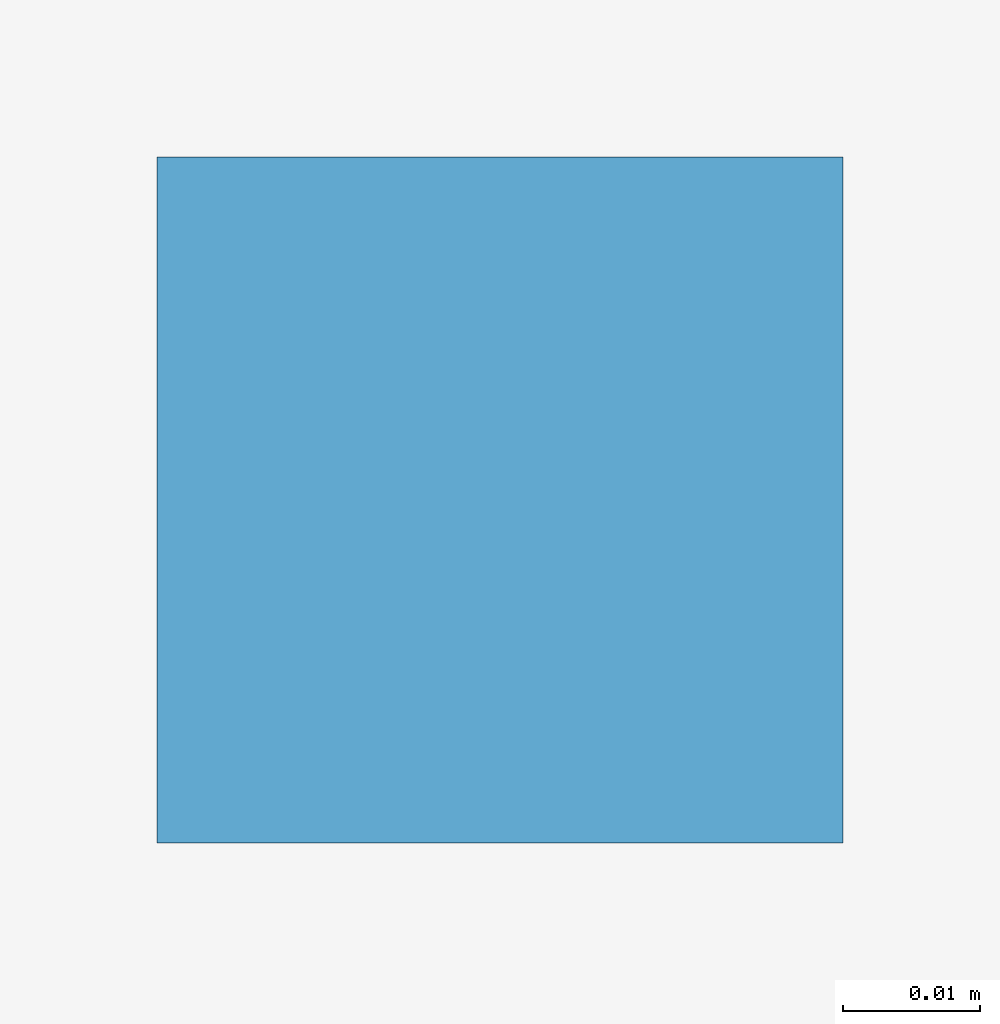
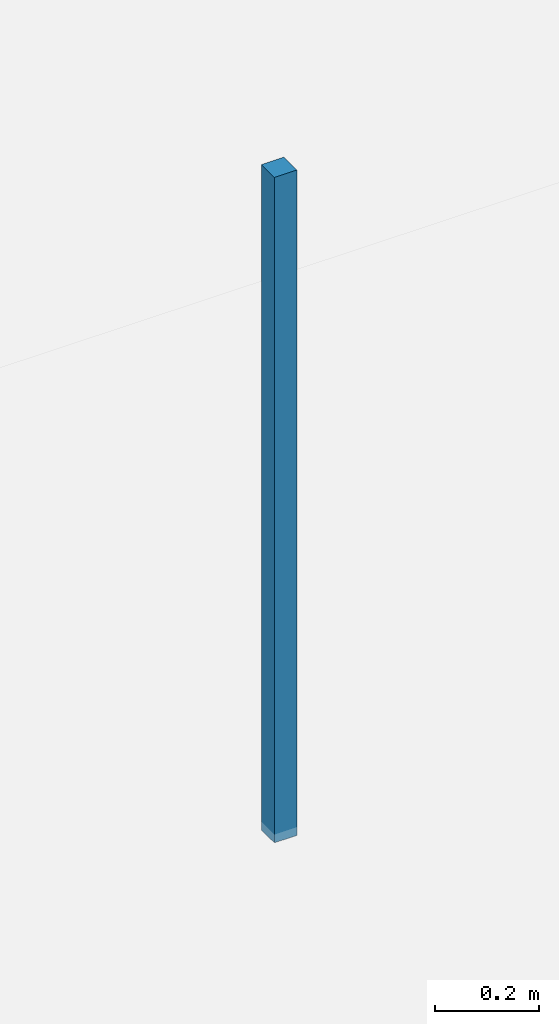
# One storey, part 44 of 54: 1 discrete accessory.
"""IFC4 building model written with IfcOpenShell, lengths in metres."""

import ifcopenshell
import ifcopenshell.guid

model = None  # the IFC model being written
_history = None  # IfcOwnerHistory: only IFC2X3 demands one
_inside = {}  # id of a spatial element -> (the spatial element, [elements in it])
_under = {}  # id of a project, library or spatial element -> (it, [spatial elements below it])
_declared = {}  # id of a project -> (the project, [libraries it declares])
_typed = {}  # id of a type object -> (the type object, [elements of that type])
_made_of = {}  # id of a material, layer set ... -> (it, [elements and type objects made of it])


def new_model(schema):
    """Start an empty IFC model of exactly this schema.

    Asked for "IFC4X3", IfcOpenShell would pick the latest addendum, in which some entities
    have other attributes; the version numbers below select the first issue.
    IFC2X3 requires an IfcOwnerHistory on every rooted entity: one is made here for all.
    """
    global model, _history
    if schema == "IFC4X3":
        model = ifcopenshell.file(schema_version=(4, 3, 0, 0))
    else:
        model = ifcopenshell.file(schema=schema)
    _inside.clear()
    _under.clear()
    _declared.clear()
    _typed.clear()
    _made_of.clear()
    _history = None
    if model.schema == "IFC2X3":
        org = make("IfcOrganization", Name="unknown")
        user = make(
            "IfcPersonAndOrganization",
            ThePerson=make("IfcPerson", FamilyName="unknown"),
            TheOrganization=org,
        )
        app = make(
            "IfcApplication",
            ApplicationDeveloper=org,
            Version="unknown",
            ApplicationFullName="unknown",
            ApplicationIdentifier="unknown",
        )
        _history = make(
            "IfcOwnerHistory",
            OwningUser=user,
            OwningApplication=app,
            ChangeAction="ADDED",
            CreationDate=0,
        )
    return model


def make(cls, **values):
    """One entity of the class cls with the attributes given. An attribute that is None is left unset."""
    return model.create_entity(
        cls, **{name: value for name, value in values.items() if value is not None}
    )


def rooted(cls, **values):
    """An entity with a GlobalId (a new one), such as an element, a storey or a relation."""
    return make(cls, GlobalId=ifcopenshell.guid.new(), OwnerHistory=_history, **values)


def si_unit(unit_type, name, prefix=None):
    """IfcSIUnit, for example si_unit("LENGTHUNIT", "METRE", prefix="MILLI")."""
    return make("IfcSIUnit", UnitType=unit_type, Prefix=prefix, Name=name)


def assignment(units):
    """IfcUnitAssignment: the units of a project."""
    return None if units is None else make("IfcUnitAssignment", Units=units)


def point(xyz):
    """IfcCartesianPoint."""
    return None if xyz is None else make("IfcCartesianPoint", Coordinates=xyz)


def direction(xyz):
    """IfcDirection."""
    return None if xyz is None else make("IfcDirection", DirectionRatios=xyz)


def frame(location, z_axis=None, x_axis=None):
    """IfcAxis2Placement3D, a coordinate frame: its origin and axes. An axis left out is left unset."""
    return make(
        "IfcAxis2Placement3D",
        Location=point(location),
        Axis=direction(z_axis),
        RefDirection=direction(x_axis),
    )


def frame_2d(location, x_axis=None):
    """IfcAxis2Placement2D, a coordinate frame in the plane: its origin and x axis."""
    return make(
        "IfcAxis2Placement2D", Location=point(location), RefDirection=direction(x_axis)
    )


def origin():
    """The frame at (0, 0, 0) with its axes left unset."""
    return frame((0.0, 0.0, 0.0))


def origin_2d():
    """The frame at (0, 0) in the plane with its x axis left unset."""
    return frame_2d((0.0, 0.0))


def place(relative_to, where):
    """IfcLocalPlacement: puts the frame where relative to a parent placement (None: the world)."""
    return make(
        "IfcLocalPlacement", PlacementRelTo=relative_to, RelativePlacement=where
    )


def context(
    kind, dimensions, precision=None, world=None, true_north=None, identifier=None
):
    """IfcGeometricRepresentationContext, for example the 3D "Model" context."""
    return make(
        "IfcGeometricRepresentationContext",
        ContextIdentifier=identifier,
        ContextType=kind,
        CoordinateSpaceDimension=dimensions,
        Precision=precision,
        WorldCoordinateSystem=world,
        TrueNorth=true_north,
    )


def subcontext(parent, identifier, kind, view, scale=None):
    """IfcGeometricRepresentationSubContext, for example "Body" below "Model"."""
    return make(
        "IfcGeometricRepresentationSubContext",
        ContextIdentifier=identifier,
        ContextType=kind,
        ParentContext=parent,
        TargetScale=scale,
        TargetView=view,
    )


def project(units=None, contexts=None):
    """IfcProject with its units and contexts."""
    return rooted(
        "IfcProject",
        Name="project",
        RepresentationContexts=contexts,
        UnitsInContext=assignment(units),
    )


def spatial(cls, under=None, at=None, **own):
    """A site, building, storey or space (cls), placed at a placement, below another one or the project."""
    s = rooted(cls, ObjectPlacement=at, **own)
    if under is not None:
        _under.setdefault(under.id(), (under, []))[1].append(s)
    return s


def profile(cls, at=None, kind="AREA", **sizes):
    """A parametric profile (cls). Its sizes go by their IFC names, for example OverallWidth=200.0."""
    return make(cls, ProfileType=kind, Position=at, **sizes)


def rectangle(**sizes):
    """IfcRectangleProfileDef."""
    return profile("IfcRectangleProfileDef", **sizes)


def extrude(swept, where, along, depth):
    """IfcExtrudedAreaSolid: the profile swept, set in the frame where, extruded along a direction by depth."""
    return make(
        "IfcExtrudedAreaSolid",
        SweptArea=swept,
        Position=where,
        ExtrudedDirection=direction(along),
        Depth=depth,
    )


def shape(context_of_items, identifier, shape_type, items):
    """IfcShapeRepresentation: the items that make up one representation, for example the "Body"."""
    return make(
        "IfcShapeRepresentation",
        ContextOfItems=context_of_items,
        RepresentationIdentifier=identifier,
        RepresentationType=shape_type,
        Items=items,
    )


def material(Name=None, Category=None):
    """IfcMaterial."""
    return make("IfcMaterial", Name=Name, Category=Category)


def made_of(thing, what):
    """Note that an element or type object is made of a material, layer set ...; save() writes the relation."""
    if what is not None:
        _made_of.setdefault(what.id(), (what, []))[1].append(thing)
    return thing


def type_object(cls, material=None, **own):
    """A type object (cls), such as IfcWallType, which elements share."""
    return made_of(rooted(cls, **own), material)


def element(
    cls,
    number,
    at=None,
    inside=None,
    cuts=None,
    type_object=None,
    material=None,
    context=None,
    identifier="Body",
    shape_type=None,
    held_by="IfcProductDefinitionShape",
    body=None,
    shapes=None,
    **own,
):
    """One element of the class cls, such as IfcWall. Its Tag is "e" and its number.

    at: its placement. inside: the storey or other place that contains it. cuts: it is an
    opening in that element (IfcRelVoidsElement). A single representation is given by context,
    identifier, shape_type and body (its items); several are given by shapes. held_by: the class
    of the entity that holds the representations. save() writes the other relations.
    """
    e = rooted(cls, Tag="e%d" % number, ObjectPlacement=at, **own)
    if body is not None:
        shapes = [shape(context, identifier, shape_type, body)]
    if shapes is not None:
        e.Representation = make(held_by, Representations=shapes)
    if inside is not None:
        _inside.setdefault(inside.id(), (inside, []))[1].append(e)
    if cuts is not None:
        rooted(
            "IfcRelVoidsElement", RelatingBuildingElement=cuts, RelatedOpeningElement=e
        )
    if type_object is not None:
        _typed.setdefault(type_object.id(), (type_object, []))[1].append(e)
    return made_of(e, material)


def aggregate(whole, parts):
    """IfcRelAggregates: a whole, such as a stair, and the parts it consists of."""
    return rooted("IfcRelAggregates", RelatingObject=whole, RelatedObjects=parts)


def save(model, path):
    """Write the relations noted so far, then the file.

    IfcRelAggregates (storeys below a building ...), IfcRelContainedInSpatialStructure (elements
    in a storey), IfcRelDefinesByType, IfcRelAssociatesMaterial and IfcRelDeclares: one each for
    every whole, place, type object, material and project.
    """
    for whole, parts in _under.values():
        aggregate(whole, parts)
    for where, things in _inside.values():
        rooted(
            "IfcRelContainedInSpatialStructure",
            RelatedElements=things,
            RelatingStructure=where,
        )
    for kind, things in _typed.values():
        rooted("IfcRelDefinesByType", RelatedObjects=things, RelatingType=kind)
    for what, things in _made_of.values():
        rooted("IfcRelAssociatesMaterial", RelatedObjects=things, RelatingMaterial=what)
    for by, libraries in _declared.values():
        rooted("IfcRelDeclares", RelatingContext=by, RelatedDefinitions=libraries)
    model.write(path)


model = new_model("IFC4")

# Units and contexts
model_context = context("Model", 3, precision=1e-05, world=origin(), true_north=direction((0.0, 1.0)))
body_context = subcontext(model_context, "Body", "Model", "MODEL_VIEW")
ifc_project = project(units=[si_unit("LENGTHUNIT", "METRE"), si_unit("AREAUNIT", "SQUARE_METRE"), si_unit("VOLUMEUNIT", "CUBIC_METRE"), si_unit("PLANEANGLEUNIT", "RADIAN"), si_unit("MASSUNIT", "GRAM", prefix="KILO")], contexts=[model_context])

# Site, building, storey
site_placement = place(None, origin())
site = spatial("IfcSite", under=ifc_project, at=site_placement, CompositionType="ELEMENT")
building_placement = place(site_placement, origin())
building = spatial("IfcBuilding", under=site, at=building_placement, Name="Kazehaya Institute of Natural Sciences", CompositionType="ELEMENT")
storey_placement = place(building_placement, frame((0.0, 0.0, 10.43994140625)))
storey = spatial("IfcBuildingStorey", under=building, at=storey_placement, Name="L02", CompositionType="ELEMENT", Elevation=10.43994140625)

# Discrete accessory
ifc_material = material(Name="Structural steel SN490B", Category="steel")
discrete_accessory_type = type_object("IfcDiscreteAccessoryType", Name="ACC-CLG-HGR", PredefinedType="BRACKET", material=ifc_material)
discrete_accessory_placement = place(storey_placement, frame((101.39208984375, 103.973388671875, 3.032470703125), z_axis=(0.0, 0.0, 1.0), x_axis=(1.0, 0.0, 0.0)))
element("IfcDiscreteAccessory", 1, at=discrete_accessory_placement, inside=storey, type_object=discrete_accessory_type, Name="L02 ceiling suspension hanger 30", PredefinedType="BRACKET", context=body_context, shape_type="SweptSolid", body=[
    extrude(rectangle(XDim=0.050048828125, YDim=0.050048828125, at=origin_2d()), origin(), (0.0, 0.0, 1.0), 1.5673828125),
])

save(model, "model.ifc")
